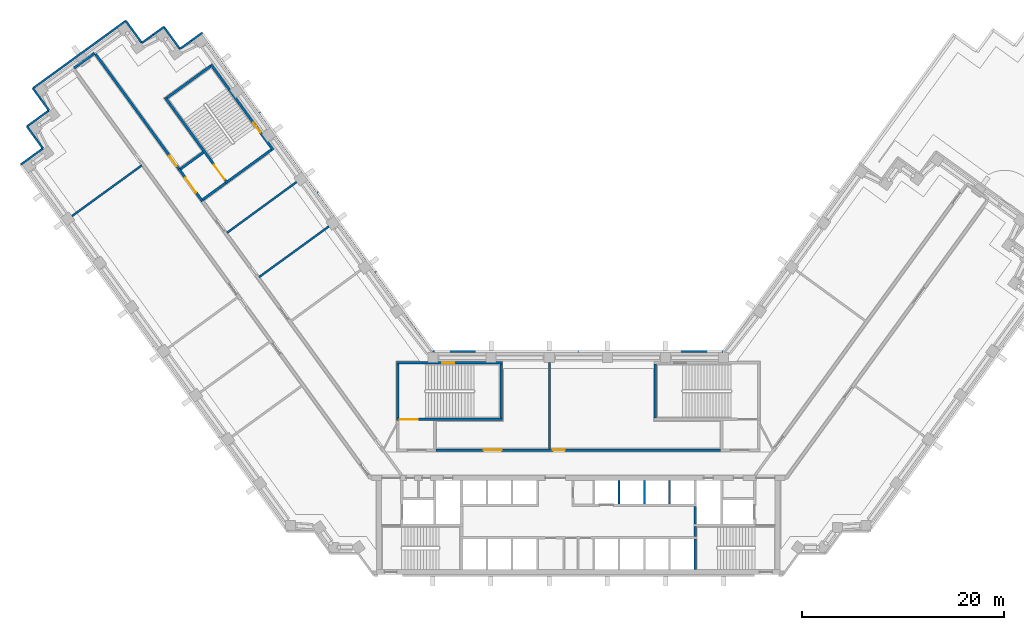
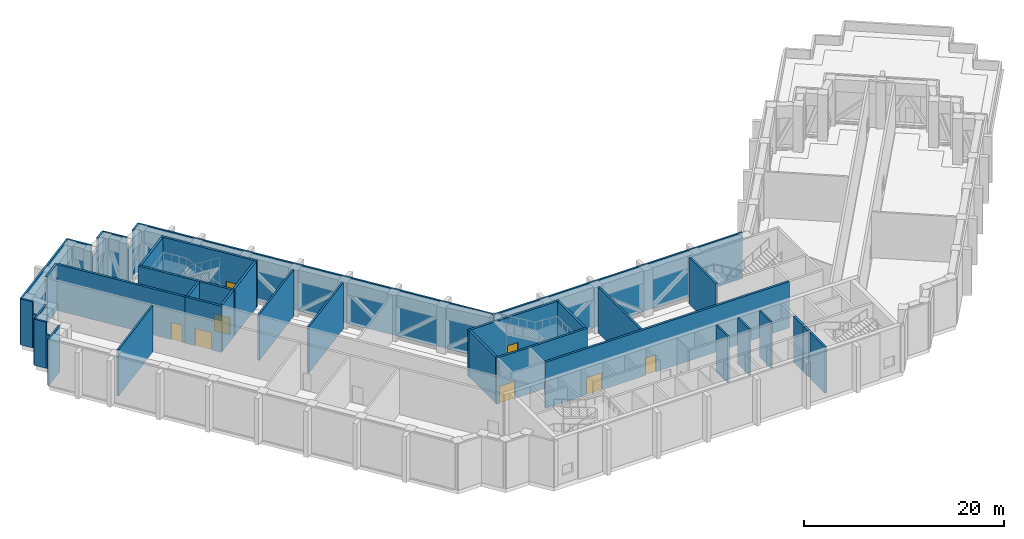
# One storey, part 12 of 18: 40 walls, 6 doors, 2 windows, 8 openings.
"""IFC4 building model written with IfcOpenShell, lengths in metres."""

import ifcopenshell
import ifcopenshell.guid

model = None  # the IFC model being written
_history = None  # IfcOwnerHistory: only IFC2X3 demands one
_inside = {}  # id of a spatial element -> (the spatial element, [elements in it])
_under = {}  # id of a project, library or spatial element -> (it, [spatial elements below it])
_declared = {}  # id of a project -> (the project, [libraries it declares])
_typed = {}  # id of a type object -> (the type object, [elements of that type])
_made_of = {}  # id of a material, layer set ... -> (it, [elements and type objects made of it])


def new_model(schema):
    """Start an empty IFC model of exactly this schema.

    Asked for "IFC4X3", IfcOpenShell would pick the latest addendum, in which some entities
    have other attributes; the version numbers below select the first issue.
    IFC2X3 requires an IfcOwnerHistory on every rooted entity: one is made here for all.
    """
    global model, _history
    if schema == "IFC4X3":
        model = ifcopenshell.file(schema_version=(4, 3, 0, 0))
    else:
        model = ifcopenshell.file(schema=schema)
    _inside.clear()
    _under.clear()
    _declared.clear()
    _typed.clear()
    _made_of.clear()
    _history = None
    if model.schema == "IFC2X3":
        org = make("IfcOrganization", Name="unknown")
        user = make(
            "IfcPersonAndOrganization",
            ThePerson=make("IfcPerson", FamilyName="unknown"),
            TheOrganization=org,
        )
        app = make(
            "IfcApplication",
            ApplicationDeveloper=org,
            Version="unknown",
            ApplicationFullName="unknown",
            ApplicationIdentifier="unknown",
        )
        _history = make(
            "IfcOwnerHistory",
            OwningUser=user,
            OwningApplication=app,
            ChangeAction="ADDED",
            CreationDate=0,
        )
    return model


def make(cls, **values):
    """One entity of the class cls with the attributes given. An attribute that is None is left unset."""
    return model.create_entity(
        cls, **{name: value for name, value in values.items() if value is not None}
    )


def rooted(cls, **values):
    """An entity with a GlobalId (a new one), such as an element, a storey or a relation."""
    return make(cls, GlobalId=ifcopenshell.guid.new(), OwnerHistory=_history, **values)


def si_unit(unit_type, name, prefix=None):
    """IfcSIUnit, for example si_unit("LENGTHUNIT", "METRE", prefix="MILLI")."""
    return make("IfcSIUnit", UnitType=unit_type, Prefix=prefix, Name=name)


def assignment(units):
    """IfcUnitAssignment: the units of a project."""
    return None if units is None else make("IfcUnitAssignment", Units=units)


def point(xyz):
    """IfcCartesianPoint."""
    return None if xyz is None else make("IfcCartesianPoint", Coordinates=xyz)


def direction(xyz):
    """IfcDirection."""
    return None if xyz is None else make("IfcDirection", DirectionRatios=xyz)


def frame(location, z_axis=None, x_axis=None):
    """IfcAxis2Placement3D, a coordinate frame: its origin and axes. An axis left out is left unset."""
    return make(
        "IfcAxis2Placement3D",
        Location=point(location),
        Axis=direction(z_axis),
        RefDirection=direction(x_axis),
    )


def frame_2d(location, x_axis=None):
    """IfcAxis2Placement2D, a coordinate frame in the plane: its origin and x axis."""
    return make(
        "IfcAxis2Placement2D", Location=point(location), RefDirection=direction(x_axis)
    )


def origin():
    """The frame at (0, 0, 0) with its axes left unset."""
    return frame((0.0, 0.0, 0.0))


def place(relative_to, where):
    """IfcLocalPlacement: puts the frame where relative to a parent placement (None: the world)."""
    return make(
        "IfcLocalPlacement", PlacementRelTo=relative_to, RelativePlacement=where
    )


def context(
    kind, dimensions, precision=None, world=None, true_north=None, identifier=None
):
    """IfcGeometricRepresentationContext, for example the 3D "Model" context."""
    return make(
        "IfcGeometricRepresentationContext",
        ContextIdentifier=identifier,
        ContextType=kind,
        CoordinateSpaceDimension=dimensions,
        Precision=precision,
        WorldCoordinateSystem=world,
        TrueNorth=true_north,
    )


def subcontext(parent, identifier, kind, view, scale=None):
    """IfcGeometricRepresentationSubContext, for example "Body" below "Model"."""
    return make(
        "IfcGeometricRepresentationSubContext",
        ContextIdentifier=identifier,
        ContextType=kind,
        ParentContext=parent,
        TargetScale=scale,
        TargetView=view,
    )


def project(units=None, contexts=None):
    """IfcProject with its units and contexts."""
    return rooted(
        "IfcProject",
        Name="project",
        RepresentationContexts=contexts,
        UnitsInContext=assignment(units),
    )


def spatial(cls, under=None, at=None, **own):
    """A site, building, storey or space (cls), placed at a placement, below another one or the project."""
    s = rooted(cls, ObjectPlacement=at, **own)
    if under is not None:
        _under.setdefault(under.id(), (under, []))[1].append(s)
    return s


def profile(cls, at=None, kind="AREA", **sizes):
    """A parametric profile (cls). Its sizes go by their IFC names, for example OverallWidth=200.0."""
    return make(cls, ProfileType=kind, Position=at, **sizes)


def rectangle(**sizes):
    """IfcRectangleProfileDef."""
    return profile("IfcRectangleProfileDef", **sizes)


def extrude(swept, where, along, depth):
    """IfcExtrudedAreaSolid: the profile swept, set in the frame where, extruded along a direction by depth."""
    return make(
        "IfcExtrudedAreaSolid",
        SweptArea=swept,
        Position=where,
        ExtrudedDirection=direction(along),
        Depth=depth,
    )


def shape(context_of_items, identifier, shape_type, items):
    """IfcShapeRepresentation: the items that make up one representation, for example the "Body"."""
    return make(
        "IfcShapeRepresentation",
        ContextOfItems=context_of_items,
        RepresentationIdentifier=identifier,
        RepresentationType=shape_type,
        Items=items,
    )


def material(Name=None, Category=None):
    """IfcMaterial."""
    return make("IfcMaterial", Name=Name, Category=Category)


def layer(
    of_material, thickness, ventilated=None, Name=None, Category=None, Priority=None
):
    """IfcMaterialLayer: one layer of a wall or slab, of a material (None: an air gap)."""
    return make(
        "IfcMaterialLayer",
        Material=of_material,
        LayerThickness=thickness,
        IsVentilated=ventilated,
        Name=Name,
        Category=Category,
        Priority=Priority,
    )


def layer_set(layers, Name=None):
    """IfcMaterialLayerSet."""
    return make("IfcMaterialLayerSet", MaterialLayers=layers, LayerSetName=Name)


def made_of(thing, what):
    """Note that an element or type object is made of a material, layer set ...; save() writes the relation."""
    if what is not None:
        _made_of.setdefault(what.id(), (what, []))[1].append(thing)
    return thing


def type_object(cls, material=None, **own):
    """A type object (cls), such as IfcWallType, which elements share."""
    return made_of(rooted(cls, **own), material)


def element(
    cls,
    number,
    at=None,
    inside=None,
    cuts=None,
    type_object=None,
    material=None,
    context=None,
    identifier="Body",
    shape_type=None,
    held_by="IfcProductDefinitionShape",
    body=None,
    shapes=None,
    **own,
):
    """One element of the class cls, such as IfcWall. Its Tag is "e" and its number.

    at: its placement. inside: the storey or other place that contains it. cuts: it is an
    opening in that element (IfcRelVoidsElement). A single representation is given by context,
    identifier, shape_type and body (its items); several are given by shapes. held_by: the class
    of the entity that holds the representations. save() writes the other relations.
    """
    e = rooted(cls, Tag="e%d" % number, ObjectPlacement=at, **own)
    if body is not None:
        shapes = [shape(context, identifier, shape_type, body)]
    if shapes is not None:
        e.Representation = make(held_by, Representations=shapes)
    if inside is not None:
        _inside.setdefault(inside.id(), (inside, []))[1].append(e)
    if cuts is not None:
        rooted(
            "IfcRelVoidsElement", RelatingBuildingElement=cuts, RelatedOpeningElement=e
        )
    if type_object is not None:
        _typed.setdefault(type_object.id(), (type_object, []))[1].append(e)
    return made_of(e, material)


def fill(opening, filler):
    """IfcRelFillsElement: the door or window that sits in an opening."""
    return rooted(
        "IfcRelFillsElement",
        RelatingOpeningElement=opening,
        RelatedBuildingElement=filler,
    )


def aggregate(whole, parts):
    """IfcRelAggregates: a whole, such as a stair, and the parts it consists of."""
    return rooted("IfcRelAggregates", RelatingObject=whole, RelatedObjects=parts)


def save(model, path):
    """Write the relations noted so far, then the file.

    IfcRelAggregates (storeys below a building ...), IfcRelContainedInSpatialStructure (elements
    in a storey), IfcRelDefinesByType, IfcRelAssociatesMaterial and IfcRelDeclares: one each for
    every whole, place, type object, material and project.
    """
    for whole, parts in _under.values():
        aggregate(whole, parts)
    for where, things in _inside.values():
        rooted(
            "IfcRelContainedInSpatialStructure",
            RelatedElements=things,
            RelatingStructure=where,
        )
    for kind, things in _typed.values():
        rooted("IfcRelDefinesByType", RelatedObjects=things, RelatingType=kind)
    for what, things in _made_of.values():
        rooted("IfcRelAssociatesMaterial", RelatedObjects=things, RelatingMaterial=what)
    for by, libraries in _declared.values():
        rooted("IfcRelDeclares", RelatingContext=by, RelatedDefinitions=libraries)
    model.write(path)


model = new_model("IFC4")

# Units and contexts
model_context = context("Model", 3, precision=1e-05, world=origin(), true_north=direction((0.0, 1.0)))
body_context = subcontext(model_context, "Body", "Model", "MODEL_VIEW")
ifc_project = project(units=[si_unit("LENGTHUNIT", "METRE"), si_unit("AREAUNIT", "SQUARE_METRE"), si_unit("VOLUMEUNIT", "CUBIC_METRE"), si_unit("PLANEANGLEUNIT", "RADIAN"), si_unit("MASSUNIT", "GRAM", prefix="KILO")], contexts=[model_context])

# Site, building, storey
site_placement = place(None, origin())
site = spatial("IfcSite", under=ifc_project, at=site_placement, CompositionType="ELEMENT")
building_placement = place(site_placement, origin())
building = spatial("IfcBuilding", under=site, at=building_placement, Name="Quipu Civic Tower", CompositionType="ELEMENT")
storey_placement = place(building_placement, frame((0.0, 0.0, 79.0)))
storey = spatial("IfcBuildingStorey", under=building, at=storey_placement, Name="L18", CompositionType="ELEMENT", Elevation=79.0)

# Walls
ifc_material_1 = material(Name="Fired clay blockwork", Category="masonry")
ifc_layer_1 = layer(ifc_material_1, 0.199951171875)
ifc_layer_set_1 = layer_set([ifc_layer_1], Name="Fired clay blockwork")
wall_type_1 = type_object("IfcWallType", Name="Blockwork wall 200", PredefinedType="SOLIDWALL", material=ifc_layer_set_1)
wall_1_placement = place(storey_placement, frame((-2.85888671875, 9.9951171875, 0.0), z_axis=(0.0, 0.0, 1.0), x_axis=(0.0, -1.0, 0.0)))
element("IfcWall", 1, at=wall_1_placement, inside=storey, type_object=wall_type_1, Name="Partition P02", PredefinedType="SOLIDWALL", context=body_context, shape_type="SweptSolid", body=[
    extrude(rectangle(XDim=8.545166015625, YDim=0.199951171875, at=frame_2d((4.2724609375, 0.0))), origin(), (0.0, 0.0, 1.0), 5.64990234375),
])
wall_2_placement = place(storey_placement, frame((-43.25927734375, 29.546875, 0.0), z_axis=(0.0, 0.0, 1.0), x_axis=(-0.809017696548, -0.587784285834, 0.0)))
element("IfcWall", 2, at=wall_2_placement, inside=storey, type_object=wall_type_1, Name="Partition P03", PredefinedType="SOLIDWALL", context=body_context, shape_type="SweptSolid", body=[
    extrude(rectangle(XDim=8.544677734375, YDim=0.199951171875, at=frame_2d((4.2724609375, 0.0))), origin(), (0.0, 0.0, 1.0), 5.64990234375),
])
wall_3_placement = place(storey_placement, frame((-24.718017578125, 23.49951171875, 0.0), z_axis=(0.0, 0.0, 1.0), x_axis=(-0.809013981241, -0.587789399494, 0.0)))
element("IfcWall", 3, at=wall_3_placement, inside=storey, type_object=wall_type_1, Name="Partition P07", PredefinedType="SOLIDWALL", context=body_context, shape_type="SweptSolid", body=[
    extrude(rectangle(XDim=8.545166015625, YDim=0.199951171875, at=frame_2d((4.2724609375, 0.0))), origin(), (0.0, 0.0, 1.0), 5.64990234375),
])
wall_4_placement = place(storey_placement, frame((-34.818115234375, 22.861083984375, 0.0), z_axis=(0.0, 0.0, 1.0), x_axis=(0.807552294117, 0.589795975119, 0.0)))
element("IfcWall", 4, at=wall_4_placement, inside=storey, type_object=wall_type_1, Name="Partition P09", PredefinedType="SOLIDWALL", context=body_context, shape_type="SweptSolid", body=[
    extrude(rectangle(XDim=8.546630859375, YDim=0.199951171875, at=frame_2d((4.2734375, 0.0))), origin(), (0.0, 0.0, 1.0), 5.64990234375),
])
ifc_material_2 = material(Name="Concrete C70/85", Category="concrete")
ifc_layer_2 = layer(ifc_material_2, 0.25)
ifc_layer_set_2 = layer_set([ifc_layer_2], Name="Concrete C70/85")
wall_type_2 = type_object("IfcWallType", Name="Core wall 250", PredefinedType="SHEAR", material=ifc_layer_set_2)
wall_5_placement = place(storey_placement, frame((11.574951171875, -10.5, 0.0), z_axis=(0.0, 0.0, 1.0), x_axis=(0.0, 1.0, 0.0)))
element("IfcWall", 5, at=wall_5_placement, inside=storey, type_object=wall_type_2, Name="Core wall", PredefinedType="SHEAR", context=body_context, shape_type="SweptSolid", body=[
    extrude(rectangle(XDim=3.0, YDim=0.25, at=frame_2d((1.5, 0.0))), origin(), (0.0, 0.0, 1.0), 5.64990234375),
])
wall_6_placement = place(storey_placement, frame((11.574951171875, -7.25, 0.0), z_axis=(0.0, 0.0, 1.0), x_axis=(0.0, 1.0, 0.0)))
element("IfcWall", 6, at=wall_6_placement, inside=storey, type_object=wall_type_2, Name="Core wall", PredefinedType="SHEAR", context=body_context, shape_type="SweptSolid", body=[
    extrude(rectangle(XDim=1.0, YDim=0.25, at=frame_2d((0.5, 0.0))), origin(), (0.0, 0.0, 1.0), 5.64990234375),
])
wall_7_placement = place(storey_placement, frame((11.574951171875, -6.0, 0.0), z_axis=(0.0, 0.0, 1.0), x_axis=(0.0, 1.0, 0.0)))
element("IfcWall", 7, at=wall_7_placement, inside=storey, type_object=wall_type_2, Name="Core wall", PredefinedType="SHEAR", context=body_context, shape_type="SweptSolid", body=[
    extrude(rectangle(XDim=1.75, YDim=0.25, at=frame_2d((0.875, 0.0))), origin(), (0.0, 0.0, 1.0), 5.64990234375),
])

# Wall, opening, door
wall_8_placement = place(storey_placement, frame((-18.0, 4.375, 0.0), z_axis=(0.0, 0.0, 1.0), x_axis=(1.0, 0.0, 0.0)))
wall_8 = element("IfcWall", 8, at=wall_8_placement, inside=storey, type_object=wall_type_2, Name="Core wall", PredefinedType="SHEAR", context=body_context, shape_type="SweptSolid", body=[
    extrude(rectangle(XDim=10.5, YDim=0.25, at=frame_2d((5.25, 0.0))), origin(), (0.0, 0.0, 1.0), 5.64990234375),
])
opening_1_placement = place(wall_8_placement, frame((0.300048828125, 0.0, 0.0)))
opening_1 = element("IfcOpeningElement", 9, at=opening_1_placement, cuts=wall_8, Name="Opening CD-16", PredefinedType="OPENING", context=body_context, shape_type="SweptSolid", body=[
    extrude(rectangle(XDim=1.800048828125, YDim=2.10009765625, at=frame_2d((0.89990234375, 1.050048828125))), frame((0.0, 0.135009765625, 0.0), z_axis=(0.0, -1.0, 0.0), x_axis=(1.0, 0.0, 0.0)), (0.0, 0.0, 1.0), 0.27001953125),
])
ifc_material_3 = material(Name="Fire rated steel door", Category="steel")
door_type_1 = type_object("IfcDoorType", Name="Fire door FD90 double 1800 x 2100", OperationType="NOTDEFINED", PredefinedType="DOOR", material=ifc_material_3)
door_1_placement = place(opening_1_placement, origin())
door_1 = element("IfcDoor", 10, at=door_1_placement, inside=storey, type_object=door_type_1, Name="Door", OperationType="DOUBLE_DOOR_SINGLE_SWING", OverallHeight=2.10009765625, OverallWidth=1.800048828125, PredefinedType="DOOR", context=body_context, shape_type="SweptSolid", body=[
    extrude(rectangle(XDim=1.800048828125, YDim=2.10009765625, at=frame_2d((0.89990234375, 1.050048828125))), frame((0.0, 0.02490234375, 0.0), z_axis=(0.0, -1.0, 0.0), x_axis=(1.0, 0.0, 0.0)), (0.0, 0.0, 1.0), 0.050048828125),
])
fill(opening_1, door_1)

# Walls
for number, where, z_axis, x_axis, name in (
    (11, (-17.875, 4.5, 0.0), (0.0, 0.0, 1.0), (0.0, 1.0, 0.0), "Core wall"),
    (12, (-7.625, 4.5, 0.0), (0.0, 0.0, 1.0), (0.0, 1.0, 0.0), "Core wall"),
):
    element("IfcWall", number, at=place(storey_placement, frame(where, z_axis=z_axis, x_axis=x_axis)), inside=storey, type_object=wall_type_2, Name=name, PredefinedType="SHEAR", context=body_context, shape_type="SweptSolid", body=[
        extrude(rectangle(XDim=5.35009765625, YDim=0.25, at=frame_2d((2.675048828125, 0.0))), origin(), (0.0, 0.0, 1.0), 5.64990234375),
    ])

# Wall, opening, window
wall_9_placement = place(storey_placement, frame((-18.0, 9.97509765625, 0.0), z_axis=(0.0, 0.0, 1.0), x_axis=(1.0, 0.0, 0.0)))
wall_9 = element("IfcWall", 13, at=wall_9_placement, inside=storey, type_object=wall_type_2, Name="Core wall", PredefinedType="SHEAR", context=body_context, shape_type="SweptSolid", body=[
    extrude(rectangle(XDim=10.5, YDim=0.25, at=frame_2d((5.25, 0.0))), origin(), (0.0, 0.0, 1.0), 5.64990234375),
])
opening_2_placement = place(wall_9_placement, frame((4.5, 0.0, 1.0)))
opening_2 = element("IfcOpeningElement", 14, at=opening_2_placement, cuts=wall_9, Name="Opening SV-3", PredefinedType="OPENING", context=body_context, shape_type="SweptSolid", body=[
    extrude(rectangle(XDim=1.199951171875, YDim=1.199951171875, at=frame_2d((0.60009765625, 0.60009765625))), frame((0.0, 0.135009765625, 0.0), z_axis=(0.0, -1.0, 0.0), x_axis=(1.0, 0.0, 0.0)), (0.0, 0.0, 1.0), 0.27001953125),
])
ifc_material_4 = material(Name="Aluminium louvre", Category="aluminium")
window_type = type_object("IfcWindowType", Name="Stair ventilation louvre 1200 x 1200", PartitioningType="SINGLE_PANEL", PredefinedType="WINDOW", material=ifc_material_4)
window_1_placement = place(opening_2_placement, origin())
window_1 = element("IfcWindow", 15, at=window_1_placement, inside=storey, type_object=window_type, Name="Stair ventilation opening", OverallHeight=1.199951171875, OverallWidth=1.199951171875, PartitioningType="SINGLE_PANEL", PredefinedType="WINDOW", context=body_context, shape_type="SweptSolid", body=[
    extrude(rectangle(XDim=1.199951171875, YDim=1.199951171875, at=frame_2d((0.60009765625, 0.60009765625))), frame((0.0, 0.030029296875, 0.0), z_axis=(0.0, -1.0, 0.0), x_axis=(1.0, 0.0, 0.0)), (0.0, 0.0, 1.0), 0.06005859375),
])
fill(opening_2, window_1)

# Wall
wall_10_placement = place(storey_placement, frame((7.625, 4.5, 0.0), z_axis=(0.0, 0.0, 1.0), x_axis=(0.0, 1.0, 0.0)))
element("IfcWall", 16, at=wall_10_placement, inside=storey, type_object=wall_type_2, Name="Core wall", PredefinedType="SHEAR", context=body_context, shape_type="SweptSolid", body=[
    extrude(rectangle(XDim=5.35009765625, YDim=0.25, at=frame_2d((2.675048828125, 0.0))), origin(), (0.0, 0.0, 1.0), 5.64990234375),
])

# Wall, opening, window
wall_11_placement = place(storey_placement, frame((-30.239501953125, 31.06396484375, 0.0), z_axis=(0.0, 0.0, 1.0), x_axis=(-0.587795589702, 0.809009483706, 0.0)))
wall_11 = element("IfcWall", 17, at=wall_11_placement, inside=storey, type_object=wall_type_2, Name="Core wall", PredefinedType="SHEAR", context=body_context, shape_type="SweptSolid", body=[
    extrude(rectangle(XDim=10.5, YDim=0.25, at=frame_2d((5.25, 0.0))), origin(), (0.0, 0.0, 1.0), 5.64990234375),
])
opening_3_placement = place(wall_11_placement, frame((2.14990234375, 0.0, 1.0)))
opening_3 = element("IfcOpeningElement", 18, at=opening_3_placement, cuts=wall_11, Name="Opening SV-6", PredefinedType="OPENING", context=body_context, shape_type="SweptSolid", body=[
    extrude(rectangle(XDim=1.199951171875, YDim=1.199951171875, at=frame_2d((0.60009765625, 0.60009765625))), frame((0.0, 0.135009765625, 0.0), z_axis=(0.0, -1.0, 0.0), x_axis=(1.0, 0.0, 0.0)), (0.0, 0.0, 1.0), 0.27001953125),
])
window_2_placement = place(opening_3_placement, origin())
window_2 = element("IfcWindow", 19, at=window_2_placement, inside=storey, type_object=window_type, Name="Stair ventilation opening", OverallHeight=1.199951171875, OverallWidth=1.199951171875, PartitioningType="SINGLE_PANEL", PredefinedType="WINDOW", context=body_context, shape_type="SweptSolid", body=[
    extrude(rectangle(XDim=1.199951171875, YDim=1.199951171875, at=frame_2d((0.60009765625, 0.60009765625))), frame((0.0, 0.030029296875, 0.0), z_axis=(0.0, -1.0, 0.0), x_axis=(1.0, 0.0, 0.0)), (0.0, 0.0, 1.0), 0.06005859375),
])
fill(opening_3, window_2)

# Walls
wall_12_placement = place(storey_placement, frame((-30.414306640625, 31.091796875, 0.0), z_axis=(0.0, 0.0, 1.0), x_axis=(-0.8089984606, -0.587810760999, 0.0)))
element("IfcWall", 20, at=wall_12_placement, inside=storey, type_object=wall_type_2, Name="Core wall", PredefinedType="SHEAR", context=body_context, shape_type="SweptSolid", body=[
    extrude(rectangle(XDim=5.35009765625, YDim=0.25, at=frame_2d((2.675048828125, 0.0))), origin(), (0.0, 0.0, 1.0), 5.64990234375),
])
wall_13_placement = place(storey_placement, frame((-36.43896484375, 39.384033203125, 0.0), z_axis=(0.0, 0.0, 1.0), x_axis=(-0.809020161303, -0.587780893365, 0.0)))
element("IfcWall", 21, at=wall_13_placement, inside=storey, type_object=wall_type_2, Name="Core wall", PredefinedType="SHEAR", context=body_context, shape_type="SweptSolid", body=[
    extrude(rectangle(XDim=5.349853515625, YDim=0.25, at=frame_2d((2.6748046875, 0.0))), origin(), (0.0, 0.0, 1.0), 5.64990234375),
])

# Wall, opening, door
wall_14_placement = place(storey_placement, frame((-40.94189453125, 36.26708984375, 0.0), z_axis=(0.0, 0.0, 1.0), x_axis=(0.587795589702, -0.809009483706, 0.0)))
wall_14 = element("IfcWall", 22, at=wall_14_placement, inside=storey, type_object=wall_type_2, Name="Core wall", PredefinedType="SHEAR", context=body_context, shape_type="SweptSolid", body=[
    extrude(rectangle(XDim=10.5, YDim=0.25, at=frame_2d((5.25, 0.0))), origin(), (0.0, 0.0, 1.0), 5.64990234375),
])
opening_4_placement = place(wall_14_placement, frame((8.25, 0.0, 0.0)))
opening_4 = element("IfcOpeningElement", 23, at=opening_4_placement, cuts=wall_14, Name="Opening CD-19", PredefinedType="OPENING", context=body_context, shape_type="SweptSolid", body=[
    extrude(rectangle(XDim=1.800048828125, YDim=2.10009765625, at=frame_2d((0.89990234375, 1.050048828125))), frame((0.0, 0.135009765625, 0.0), z_axis=(0.0, -1.0, 0.0), x_axis=(1.0, 0.0, 0.0)), (0.0, 0.0, 1.0), 0.27001953125),
])
door_2_placement = place(opening_4_placement, origin())
door_2 = element("IfcDoor", 24, at=door_2_placement, inside=storey, type_object=door_type_1, Name="Door", OperationType="DOUBLE_DOOR_SINGLE_SWING", OverallHeight=2.10009765625, OverallWidth=1.800048828125, PredefinedType="DOOR", context=body_context, shape_type="SweptSolid", body=[
    extrude(rectangle(XDim=1.800048828125, YDim=2.10009765625, at=frame_2d((0.89990234375, 1.050048828125))), frame((0.0, 0.02490234375, 0.0), z_axis=(0.0, -1.0, 0.0), x_axis=(1.0, 0.0, 0.0)), (0.0, 0.0, 1.0), 0.050048828125),
])
fill(opening_4, door_2)

# Walls
for number, where, z_axis, x_axis, name in (
    (25, (-34.944580078125, 27.800048828125, 0.0), (0.0, 0.0, 1.0), (-0.809041377956, -0.587751689708, 0.0), "Core wall"),
    (26, (-37.14892578125, 30.833984375, 0.0), (0.0, 0.0, 1.0), (-0.808969789945, -0.58785021813, 0.0), "Core wall"),
):
    element("IfcWall", number, at=place(storey_placement, frame(where, z_axis=z_axis, x_axis=x_axis)), inside=storey, type_object=wall_type_2, Name=name, PredefinedType="SHEAR", context=body_context, shape_type="SweptSolid", body=[
        extrude(rectangle(XDim=2.800048828125, YDim=0.25, at=frame_2d((1.39990234375, 0.0))), origin(), (0.0, 0.0, 1.0), 5.64990234375),
    ])

# Wall, opening, door
wall_15_placement = place(storey_placement, frame((-39.588623046875, 29.2158203125, 0.0), z_axis=(0.0, 0.0, 1.0), x_axis=(0.587772420479, -0.809026317077, 0.0)))
wall_15 = element("IfcWall", 27, at=wall_15_placement, inside=storey, type_object=wall_type_2, Name="Core wall", PredefinedType="SHEAR", context=body_context, shape_type="SweptSolid", body=[
    extrude(rectangle(XDim=4.0, YDim=0.25, at=frame_2d((2.0, 0.0))), origin(), (0.0, 0.0, 1.0), 5.64990234375),
])
opening_5_placement = place(wall_15_placement, frame((1.10009765625, 0.0, 0.0)))
opening_5 = element("IfcOpeningElement", 28, at=opening_5_placement, cuts=wall_15, Name="Opening CD-20", PredefinedType="OPENING", context=body_context, shape_type="SweptSolid", body=[
    extrude(rectangle(XDim=1.800048828125, YDim=2.10009765625, at=frame_2d((0.89990234375, 1.050048828125))), frame((0.0, 0.135009765625, 0.0), z_axis=(0.0, -1.0, 0.0), x_axis=(1.0, 0.0, 0.0)), (0.0, 0.0, 1.0), 0.27001953125),
])
door_3_placement = place(opening_5_placement, origin())
door_3 = element("IfcDoor", 29, at=door_3_placement, inside=storey, type_object=door_type_1, Name="Lobby door", OperationType="DOUBLE_DOOR_SINGLE_SWING", OverallHeight=2.10009765625, OverallWidth=1.800048828125, PredefinedType="DOOR", context=body_context, shape_type="SweptSolid", body=[
    extrude(rectangle(XDim=1.800048828125, YDim=2.10009765625, at=frame_2d((0.89990234375, 1.050048828125))), frame((0.0, 0.02490234375, 0.0), z_axis=(0.0, -1.0, 0.0), x_axis=(1.0, 0.0, 0.0)), (0.0, 0.0, 1.0), 0.050048828125),
])
fill(opening_5, door_3)

# Wall
ifc_material_5 = material(Name="Concrete C50/60", Category="concrete")
ifc_layer_3 = layer(ifc_material_5, 0.25)
ifc_layer_set_3 = layer_set([ifc_layer_3], Name="Concrete C50/60")
wall_type_3 = type_object("IfcWallType", Name="Corridor wall 250 concrete", PredefinedType="SOLIDWALL", material=ifc_layer_set_3)
wall_16_placement = place(storey_placement, frame((-49.96044921875, 39.20166015625, 0.0), z_axis=(0.0, 0.0, 1.0), x_axis=(0.809045768422, 0.587745646176, 0.0)))
element("IfcWall", 30, at=wall_16_placement, inside=storey, type_object=wall_type_3, Name="Corridor wall C04", PredefinedType="SOLIDWALL", context=body_context, shape_type="SweptSolid", body=[
    extrude(rectangle(XDim=2.48779296875, YDim=0.25, at=frame_2d((1.243896484375, 0.0))), origin(), (0.0, 0.0, 1.0), 5.64990234375),
])

# Wall, opening, door
wall_17_placement = place(storey_placement, frame((-47.844970703125, 40.57958984375, 0.0), z_axis=(0.0, 0.0, 1.0), x_axis=(0.587788979369, -0.809014286482, 0.0)))
wall_17 = element("IfcWall", 31, at=wall_17_placement, inside=storey, type_object=wall_type_3, Name="Corridor wall C05", PredefinedType="SOLIDWALL", context=body_context, shape_type="SweptSolid", body=[
    extrude(rectangle(XDim=14.036376953125, YDim=0.25, at=frame_2d((7.01806640625, 0.0))), origin(), (0.0, 0.0, 1.0), 5.64990234375),
])
opening_6_placement = place(wall_17_placement, frame((12.49609375, 0.0, 0.0)))
opening_6 = element("IfcOpeningElement", 32, at=opening_6_placement, cuts=wall_17, Name="Opening D007", PredefinedType="OPENING", context=body_context, shape_type="SweptSolid", body=[
    extrude(rectangle(XDim=1.199951171875, YDim=2.10009765625, at=frame_2d((0.60009765625, 1.050048828125))), frame((0.0, 0.135009765625, 0.0), z_axis=(0.0, -1.0, 0.0), x_axis=(1.0, 0.0, 0.0)), (0.0, 0.0, 1.0), 0.27001953125),
])
ifc_material_6 = material(Name="Fire rated timber door set with metal frame", Category="wood")
door_type_2 = type_object("IfcDoorType", Name="Single door 1200 x 2100 FD60", OperationType="NOTDEFINED", PredefinedType="DOOR", material=ifc_material_6)
door_4_placement = place(opening_6_placement, origin())
door_4 = element("IfcDoor", 33, at=door_4_placement, inside=storey, type_object=door_type_2, Name="Door D007", OperationType="SINGLE_SWING_RIGHT", OverallHeight=2.10009765625, OverallWidth=1.199951171875, PredefinedType="DOOR", context=body_context, shape_type="SweptSolid", body=[
    extrude(rectangle(XDim=1.199951171875, YDim=2.10009765625, at=frame_2d((0.60009765625, 1.050048828125))), frame((0.0, 0.02490234375, 0.0), z_axis=(0.0, -1.0, 0.0), x_axis=(1.0, 0.0, 0.0)), (0.0, 0.0, 1.0), 0.050048828125),
])
fill(opening_6, door_4)

# Wall, openings, doors
wall_18_placement = place(storey_placement, frame((-14.090087890625, 1.324951171875, 0.0), z_axis=(0.0, 0.0, 1.0), x_axis=(1.0, 0.0, 0.0)))
wall_18 = element("IfcWall", 34, at=wall_18_placement, inside=storey, type_object=wall_type_3, Name="Corridor wall C07", PredefinedType="SOLIDWALL", context=body_context, shape_type="SweptSolid", body=[
    extrude(rectangle(XDim=28.18017578125, YDim=0.25, at=frame_2d((14.090087890625, 0.0))), origin(), (0.0, 0.0, 1.0), 5.64990234375),
])
opening_7_placement = place(wall_18_placement, frame((11.56103515625, 0.0, 0.0)))
opening_7 = element("IfcOpeningElement", 35, at=opening_7_placement, cuts=wall_18, Name="Opening D006", PredefinedType="OPENING", context=body_context, shape_type="SweptSolid", body=[
    extrude(rectangle(XDim=1.199951171875, YDim=2.10009765625, at=frame_2d((0.60009765625, 1.050048828125))), frame((0.0, 0.135009765625, 0.0), z_axis=(0.0, -1.0, 0.0), x_axis=(1.0, 0.0, 0.0)), (0.0, 0.0, 1.0), 0.27001953125),
])
opening_8_placement = place(wall_18_placement, frame((4.700927734375, 0.0, 0.0)))
opening_8 = element("IfcOpeningElement", 36, at=opening_8_placement, cuts=wall_18, Name="Opening D005", PredefinedType="OPENING", context=body_context, shape_type="SweptSolid", body=[
    extrude(rectangle(XDim=1.800048828125, YDim=2.10009765625, at=frame_2d((0.89990234375, 1.050048828125))), frame((0.0, 0.135009765625, 0.0), z_axis=(0.0, -1.0, 0.0), x_axis=(1.0, 0.0, 0.0)), (0.0, 0.0, 1.0), 0.27001953125),
])
ifc_material_7 = material(Name="Fire rated timber door set with metal frame", Category="wood")
door_type_3 = type_object("IfcDoorType", Name="Double door 1800 x 2100 FD60", OperationType="DOUBLE_DOOR_SINGLE_SWING", PredefinedType="DOOR", material=ifc_material_7)
door_5_placement = place(opening_8_placement, origin())
door_5 = element("IfcDoor", 37, at=door_5_placement, inside=storey, type_object=door_type_3, Name="Door D005", OperationType="DOUBLE_DOOR_SINGLE_SWING", OverallHeight=2.10009765625, OverallWidth=1.800048828125, PredefinedType="DOOR", context=body_context, shape_type="SweptSolid", body=[
    extrude(rectangle(XDim=1.800048828125, YDim=2.10009765625, at=frame_2d((0.89990234375, 1.050048828125))), frame((0.0, 0.02490234375, 0.0), z_axis=(0.0, -1.0, 0.0), x_axis=(1.0, 0.0, 0.0)), (0.0, 0.0, 1.0), 0.050048828125),
])
fill(opening_8, door_5)
door_6_placement = place(opening_7_placement, origin())
door_6 = element("IfcDoor", 38, at=door_6_placement, inside=storey, type_object=door_type_2, Name="Door D006", OperationType="SINGLE_SWING_LEFT", OverallHeight=2.10009765625, OverallWidth=1.199951171875, PredefinedType="DOOR", context=body_context, shape_type="SweptSolid", body=[
    extrude(rectangle(XDim=1.199951171875, YDim=2.10009765625, at=frame_2d((0.60009765625, 1.050048828125))), frame((0.0, 0.02490234375, 0.0), z_axis=(0.0, -1.0, 0.0), x_axis=(1.0, 0.0, 0.0)), (0.0, 0.0, 1.0), 0.050048828125),
])
fill(opening_7, door_6)

# Walls
ifc_material_8 = material(Name="Precast concrete C40/50", Category="concrete")
wall_type_4 = type_object("IfcWallType", Name="Precast cladding wall", PredefinedType="SOLIDWALL", material=ifc_material_8)
wall_19_placement = place(storey_placement, frame((-14.35400390625, 11.093017578125, 0.0), z_axis=(0.0, 0.0, 1.0), x_axis=(-0.587787194805, 0.809015583054, 0.0)))
element("IfcWall", 39, at=wall_19_placement, inside=storey, type_object=wall_type_4, Name="Precast cladding wall L18 1", PredefinedType="SOLIDWALL", context=body_context, shape_type="SweptSolid", body=[
    extrude(rectangle(XDim=39.044189453125, YDim=0.199951171875, at=frame_2d((19.52197265625, 0.0))), origin(), (0.0, 0.0, 1.0), 5.64990234375),
])
wall_20_placement = place(storey_placement, frame((-37.286865234375, 42.677734375, 0.0), z_axis=(0.0, 0.0, 1.0), x_axis=(-0.809065186597, -0.587718915671, 0.0)))
element("IfcWall", 40, at=wall_20_placement, inside=storey, type_object=wall_type_4, Name="Precast cladding wall L18 2", PredefinedType="SOLIDWALL", context=body_context, shape_type="SweptSolid", body=[
    extrude(rectangle(XDim=1.314697265625, YDim=0.199951171875, at=frame_2d((0.6572265625, 0.0))), origin(), (0.0, 0.0, 1.0), 5.64990234375),
])
wall_21_placement = place(storey_placement, frame((-38.3505859375, 41.905029296875, 0.0), z_axis=(0.0, 0.0, 1.0), x_axis=(-0.809002762913, -0.58780483972, 0.0)))
element("IfcWall", 41, at=wall_21_placement, inside=storey, type_object=wall_type_4, Name="Precast cladding wall L18 2 a", PredefinedType="SOLIDWALL", context=body_context, shape_type="SweptSolid", body=[
    extrude(rectangle(XDim=1.38525390625, YDim=0.199951171875, at=frame_2d((0.692626953125, 0.0))), origin(), (0.0, 0.0, 1.0), 4.14990234375),
])
wall_22_placement = place(storey_placement, frame((-39.488037109375, 41.093505859375, 0.0), z_axis=(0.0, 0.0, 1.0), x_axis=(-0.587806000234, 0.809001919707, 0.0)))
element("IfcWall", 42, at=wall_22_placement, inside=storey, type_object=wall_type_4, Name="Precast cladding wall L18 3", PredefinedType="SOLIDWALL", context=body_context, shape_type="SweptSolid", body=[
    extrude(rectangle(XDim=2.69970703125, YDim=0.199951171875, at=frame_2d((1.349853515625, 0.0))), origin(), (0.0, 0.0, 1.0), 5.64990234375),
])
wall_23_placement = place(storey_placement, frame((-41.05810546875, 43.275146484375, 0.0), z_axis=(0.0, 0.0, 1.0), x_axis=(-0.809056865039, -0.587730371117, 0.0)))
element("IfcWall", 43, at=wall_23_placement, inside=storey, type_object=wall_type_4, Name="Precast cladding wall L18 4", PredefinedType="SOLIDWALL", context=body_context, shape_type="SweptSolid", body=[
    extrude(rectangle(XDim=1.31591796875, YDim=0.199951171875, at=frame_2d((0.657958984375, 0.0))), origin(), (0.0, 0.0, 1.0), 5.64990234375),
])
wall_24_placement = place(storey_placement, frame((-42.122802734375, 42.501708984375, 0.0), z_axis=(0.0, 0.0, 1.0), x_axis=(-0.808926734208, -0.5879094647, 0.0)))
element("IfcWall", 44, at=wall_24_placement, inside=storey, type_object=wall_type_4, Name="Precast cladding wall L18 4 a", PredefinedType="SOLIDWALL", context=body_context, shape_type="SweptSolid", body=[
    extrude(rectangle(XDim=1.384033203125, YDim=0.199951171875, at=frame_2d((0.69189453125, 0.0))), origin(), (0.0, 0.0, 1.0), 4.14990234375),
])
wall_25_placement = place(storey_placement, frame((-43.25927734375, 41.690673828125, 0.0), z_axis=(0.0, 0.0, 1.0), x_axis=(-0.587822180636, 0.808990163075, 0.0)))
element("IfcWall", 45, at=wall_25_placement, inside=storey, type_object=wall_type_4, Name="Precast cladding wall L18 5", PredefinedType="SOLIDWALL", context=body_context, shape_type="SweptSolid", body=[
    extrude(rectangle(XDim=2.699951171875, YDim=0.199951171875, at=frame_2d((1.35009765625, 0.0))), origin(), (0.0, 0.0, 1.0), 5.64990234375),
])
wall_26_placement = place(storey_placement, frame((-44.82958984375, 43.872314453125, 0.0), z_axis=(0.0, 0.0, 1.0), x_axis=(-0.809023074878, -0.587776883106, 0.0)))
element("IfcWall", 46, at=wall_26_placement, inside=storey, type_object=wall_type_4, Name="Precast cladding wall L18 6", PredefinedType="SOLIDWALL", context=body_context, shape_type="SweptSolid", body=[
    extrude(rectangle(XDim=11.400146484375, YDim=0.199951171875, at=frame_2d((5.7001953125, 0.0))), origin(), (0.0, 0.0, 1.0), 5.64990234375),
])
wall_27_placement = place(storey_placement, frame((-54.0498046875, 37.1884765625, 0.0), z_axis=(0.0, 0.0, 1.0), x_axis=(0.58786388341, -0.808959859686, 0.0)))
element("IfcWall", 47, at=wall_27_placement, inside=storey, type_object=wall_type_4, Name="Precast cladding wall L18 7", PredefinedType="SOLIDWALL", context=body_context, shape_type="SweptSolid", body=[
    extrude(rectangle(XDim=1.320556640625, YDim=0.199951171875, at=frame_2d((0.66015625, 0.0))), origin(), (0.0, 0.0, 1.0), 5.64990234375),
])
wall_28_placement = place(storey_placement, frame((-53.2734375, 36.1201171875, 0.0), z_axis=(0.0, 0.0, 1.0), x_axis=(0.587782252522, -0.809019173827, 0.0)))
element("IfcWall", 48, at=wall_28_placement, inside=storey, type_object=wall_type_4, Name="Precast cladding wall L18 7 a", PredefinedType="SOLIDWALL", context=body_context, shape_type="SweptSolid", body=[
    extrude(rectangle(XDim=1.37939453125, YDim=0.199951171875, at=frame_2d((0.689697265625, 0.0))), origin(), (0.0, 0.0, 1.0), 4.14990234375),
])
wall_29_placement = place(storey_placement, frame((-52.46533203125, 34.9873046875, 0.0), z_axis=(0.0, 0.0, 1.0), x_axis=(-0.809033161865, -0.587762999008, 0.0)))
element("IfcWall", 49, at=wall_29_placement, inside=storey, type_object=wall_type_4, Name="Precast cladding wall L18 8", PredefinedType="SOLIDWALL", context=body_context, shape_type="SweptSolid", body=[
    extrude(rectangle(XDim=2.699951171875, YDim=0.199951171875, at=frame_2d((1.35009765625, 0.0))), origin(), (0.0, 0.0, 1.0), 5.64990234375),
])
wall_30_placement = place(storey_placement, frame((-54.647216796875, 33.4169921875, 0.0), z_axis=(0.0, 0.0, 1.0), x_axis=(0.587871379726, -0.808954412127, 0.0)))
element("IfcWall", 50, at=wall_30_placement, inside=storey, type_object=wall_type_4, Name="Precast cladding wall L18 9", PredefinedType="SOLIDWALL", context=body_context, shape_type="SweptSolid", body=[
    extrude(rectangle(XDim=1.30517578125, YDim=0.199951171875, at=frame_2d((0.652587890625, 0.0))), origin(), (0.0, 0.0, 1.0), 5.64990234375),
])
wall_31_placement = place(storey_placement, frame((-53.8798828125, 32.361083984375, 0.0), z_axis=(0.0, 0.0, 1.0), x_axis=(0.587776137069, -0.809023616894, 0.0)))
element("IfcWall", 51, at=wall_31_placement, inside=storey, type_object=wall_type_4, Name="Precast cladding wall L18 9 a", PredefinedType="SOLIDWALL", context=body_context, shape_type="SweptSolid", body=[
    extrude(rectangle(XDim=1.394775390625, YDim=0.199951171875, at=frame_2d((0.697265625, 0.0))), origin(), (0.0, 0.0, 1.0), 4.14990234375),
])
wall_32_placement = place(storey_placement, frame((-53.062744140625, 31.2158203125, 0.0), z_axis=(0.0, 0.0, 1.0), x_axis=(-0.809033161865, -0.587762999008, 0.0)))
element("IfcWall", 52, at=wall_32_placement, inside=storey, type_object=wall_type_4, Name="Precast cladding wall L18 10", PredefinedType="SOLIDWALL", context=body_context, shape_type="SweptSolid", body=[
    extrude(rectangle(XDim=2.699951171875, YDim=0.199951171875, at=frame_2d((1.35009765625, 0.0))), origin(), (0.0, 0.0, 1.0), 5.64990234375),
])
wall_33_placement = place(storey_placement, frame((14.34423828125, 11.087890625, 0.0), z_axis=(0.0, 0.0, 1.0), x_axis=(-1.0, 0.0, 0.0)))
element("IfcWall", 53, at=wall_33_placement, inside=storey, type_object=wall_type_4, Name="Precast cladding wall L18 40", PredefinedType="SOLIDWALL", context=body_context, shape_type="SweptSolid", body=[
    extrude(rectangle(XDim=28.6884765625, YDim=0.199951171875, at=frame_2d((14.34423828125, 0.0))), origin(), (0.0, 0.0, 1.0), 5.64990234375),
])
ifc_material_9 = material(Name="Concrete C40/50", Category="concrete")
ifc_layer_4 = layer(ifc_material_9, 0.199951171875)
ifc_layer_set_4 = layer_set([ifc_layer_4], Name="Concrete C40/50")
wall_type_5 = type_object("IfcWallType", Name="Shaft wall 200", PredefinedType="SOLIDWALL", material=ifc_layer_set_4)
for number, where, z_axis, x_axis, name in (
    (54, (4.050048828125, -4.0, 0.0), (0.0, 0.0, 1.0), (0.0, 1.0, 0.0), "Shaft wall"),
    (55, (6.550048828125, -4.0, 0.0), (0.0, 0.0, 1.0), (0.0, 1.0, 0.0), "Shaft wall"),
    (56, (9.050048828125, -4.0, 0.0), (0.0, 0.0, 1.0), (0.0, 1.0, 0.0), "Shaft wall"),
):
    element("IfcWall", number, at=place(storey_placement, frame(where, z_axis=z_axis, x_axis=x_axis)), inside=storey, type_object=wall_type_5, Name=name, PredefinedType="SOLIDWALL", context=body_context, shape_type="SweptSolid", body=[
        extrude(rectangle(XDim=2.300048828125, YDim=0.199951171875, at=frame_2d((1.14990234375, 0.0))), origin(), (0.0, 0.0, 1.0), 5.64990234375),
    ])

save(model, "model.ifc")
